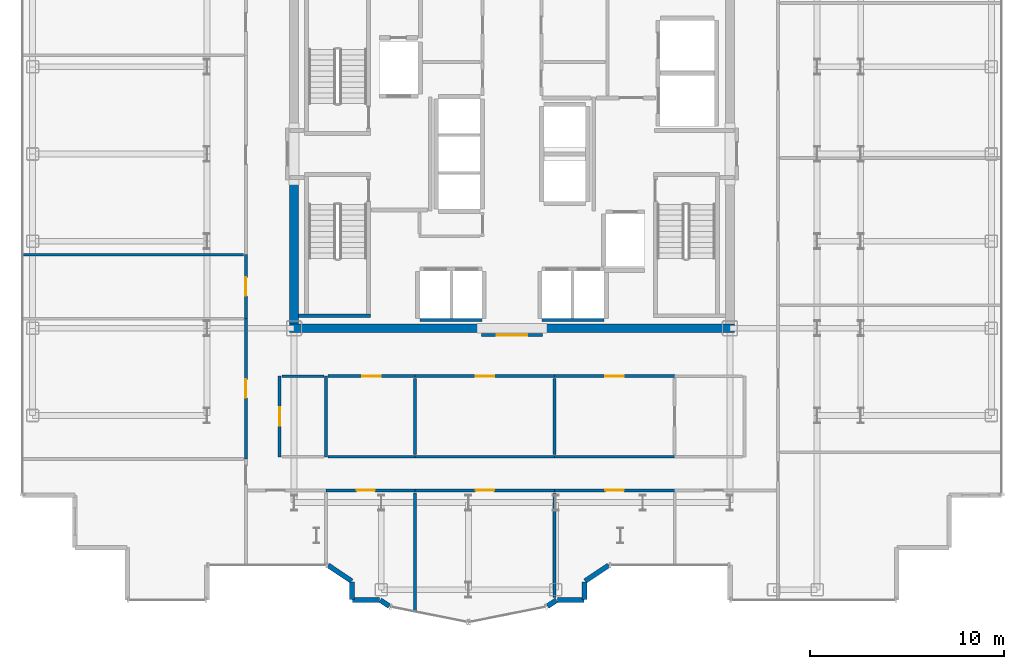
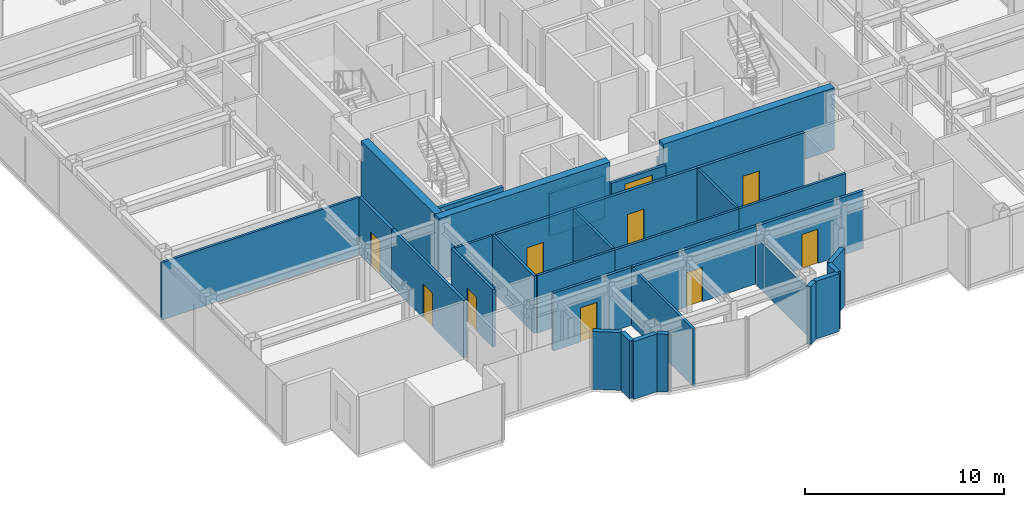
# One storey, part 14 of 20: 34 walls, 10 doors, 10 openings.
"""IFC4 building model written with IfcOpenShell, lengths in metres."""

from ifc_helpers import new_model, si_unit, direction, frame, frame_2d, origin, place, context, subcontext, project, spatial, rectangle, extrude, source, transform, mapped, material, layer, layer_set, type_object, element, fill, save


model = new_model("IFC4")

# Units and contexts
model_context = context("Model", 3, precision=1e-05, world=origin(), true_north=direction((0.0, 1.0)))
body_context = subcontext(model_context, "Body", "Model", "MODEL_VIEW")
ifc_project = project(units=[si_unit("LENGTHUNIT", "METRE"), si_unit("AREAUNIT", "SQUARE_METRE"), si_unit("VOLUMEUNIT", "CUBIC_METRE"), si_unit("PLANEANGLEUNIT", "RADIAN"), si_unit("MASSUNIT", "GRAM", prefix="KILO")], contexts=[model_context])

# Site, building, storey
site_placement = place(None, origin())
site = spatial("IfcSite", under=ifc_project, at=site_placement, CompositionType="ELEMENT")
building_placement = place(site_placement, origin())
building = spatial("IfcBuilding", under=site, at=building_placement, Name="Nefas-Gora Pilgrimage Tower", CompositionType="ELEMENT")
storey_placement = place(building_placement, frame((0.0, 0.0, 237.0)))
storey = spatial("IfcBuildingStorey", under=building, at=storey_placement, Name="L59", CompositionType="ELEMENT", Elevation=237.0)

# Walls
ifc_material_1 = material(Name="Concrete C50/60", Category="concrete")
ifc_layer_1 = layer(ifc_material_1, 0.449951171875)
ifc_layer_set_1 = layer_set([ifc_layer_1], Name="Concrete C50/60")
wall_type_1 = type_object("IfcWallType", Name="SW-CORE-450", PredefinedType="SHEAR", material=ifc_layer_set_1)
shared_shape_1 = source(origin(), body_context, "Body", "SweptSolid", [
    extrude(rectangle(XDim=9.925048828125, YDim=0.449951171875, at=frame_2d((4.96240234375, 0.0))), origin(), (0.0, 0.0, 1.0), 3.800048828125),
])
for number, where, z_axis, x_axis, name in (
    (1, (-11.47509765625, -9.0, 0.0), (0.0, 0.0, 1.0), (1.0, 0.0, 0.0), "L59 Core Shear Wall S-West"),
    (2, (1.550048828125, -9.0, 0.0), (0.0, 0.0, 1.0), (1.0, 0.0, 0.0), "L59 Core Shear Wall S-East"),
):
    element("IfcWall", number, at=place(storey_placement, frame(where, z_axis=z_axis, x_axis=x_axis)), inside=storey, type_object=wall_type_1, Name=name, PredefinedType="SHEAR", context=body_context, shape_type="MappedRepresentation", body=[
        mapped(shared_shape_1, transform((0.0, 0.0, 0.0), x_axis=(1.0, 0.0, 0.0), y_axis=(0.0, 1.0, 0.0), z_axis=(0.0, 0.0, 1.0), scale=1.0)),
    ])
shared_shape_2 = source(origin(), body_context, "Body", "SweptSolid", [
    extrude(rectangle(XDim=7.4248046875, YDim=0.449951171875, at=frame_2d((3.71240234375, 0.0))), origin(), (0.0, 0.0, 1.0), 3.800048828125),
])
wall_1_placement = place(storey_placement, frame((-11.25, -8.77490234375, 0.0), z_axis=(0.0, 0.0, 1.0), x_axis=(0.0, 1.0, 0.0)))
element("IfcWall", 3, at=wall_1_placement, inside=storey, type_object=wall_type_1, Name="L59 Core Shear Wall W-South", PredefinedType="SHEAR", context=body_context, shape_type="MappedRepresentation", body=[
    mapped(shared_shape_2, transform((0.0, 0.0, 0.0), x_axis=(1.0, 0.0, 0.0), y_axis=(0.0, 1.0, 0.0), z_axis=(0.0, 0.0, 1.0), scale=1.0)),
])
ifc_material_2 = material(Name="Precast concrete C40/50", Category="concrete")
ifc_layer_2 = layer(ifc_material_2, 0.260009765625)
ifc_layer_set_2 = layer_set([ifc_layer_2], Name="Precast concrete C40/50")
wall_type_2 = type_object("IfcWallType", Name="EW-PORTAL-260", PredefinedType="SOLIDWALL", material=ifc_layer_set_2)
shared_shape_3 = source(origin(), body_context, "Body", "SweptSolid", [
    extrude(rectangle(XDim=1.468994140625, YDim=0.260009765625, at=frame_2d((0.734375, 0.0))), origin(), (0.0, 0.0, 1.0), 3.550048828125),
])
for number, where, z_axis, x_axis, name in (
    (4, (-9.49462890625, -21.235595703125, 0.0), (0.0, 0.0, 1.0), (0.831461760506, -0.555581983884, 0.0), "L59 Lobe Shoulder Precast Spandrel Pier 29"),
    (5, (3.773193359375, -22.0517578125, 0.0), (0.0, 0.0, 1.0), (0.831461760506, 0.555581983884, 0.0), "L59 Lobe Shoulder Precast Spandrel Pier 36"),
):
    element("IfcWall", number, at=place(storey_placement, frame(where, z_axis=z_axis, x_axis=x_axis)), inside=storey, type_object=wall_type_2, Name=name, PredefinedType="SOLIDWALL", context=body_context, shape_type="MappedRepresentation", body=[
        mapped(shared_shape_3, transform((0.0, 0.0, 0.0), x_axis=(1.0, 0.0, 0.0), y_axis=(0.0, 1.0, 0.0), z_axis=(0.0, 0.0, 1.0), scale=1.0)),
    ])
shared_shape_4 = source(origin(), body_context, "Body", "SweptSolid", [
    extrude(rectangle(XDim=0.896728515625, YDim=0.260009765625, at=frame_2d((0.4482421875, 0.0))), origin(), (0.0, 0.0, 1.0), 3.550048828125),
])
for number, where, z_axis, x_axis, name in (
    (6, (-8.25, -22.09521484375, 0.0), (0.0, 0.0, 1.0), (0.0, -1.0, 0.0), "L59 Lobe Shoulder Precast Spandrel Pier 30"),
    (7, (3.75, -22.991943359375, 0.0), (0.0, 0.0, 1.0), (0.0, 1.0, 0.0), "L59 Lobe Shoulder Precast Spandrel Pier 35"),
):
    element("IfcWall", number, at=place(storey_placement, frame(where, z_axis=z_axis, x_axis=x_axis)), inside=storey, type_object=wall_type_2, Name=name, PredefinedType="SOLIDWALL", context=body_context, shape_type="MappedRepresentation", body=[
        mapped(shared_shape_4, transform((0.0, 0.0, 0.0), x_axis=(1.0, 0.0, 0.0), y_axis=(0.0, 1.0, 0.0), z_axis=(0.0, 0.0, 1.0), scale=1.0)),
    ])
shared_shape_5 = source(origin(), body_context, "Body", "SweptSolid", [
    extrude(rectangle(XDim=1.369873046875, YDim=0.260009765625, at=frame_2d((0.68505859375, 0.0))), origin(), (0.0, 0.0, 1.0), 3.550048828125),
])
for number, where, z_axis, x_axis, name in (
    (8, (-8.221923828125, -23.02001953125, 0.0), (0.0, 0.0, 1.0), (1.0, 0.0, 0.0), "L59 Lobe Shoulder Precast Spandrel Pier 31"),
    (9, (2.35205078125, -23.02001953125, 0.0), (0.0, 0.0, 1.0), (1.0, 0.0, 0.0), "L59 Lobe Shoulder Precast Spandrel Pier 34"),
):
    element("IfcWall", number, at=place(storey_placement, frame(where, z_axis=z_axis, x_axis=x_axis)), inside=storey, type_object=wall_type_2, Name=name, PredefinedType="SOLIDWALL", context=body_context, shape_type="MappedRepresentation", body=[
        mapped(shared_shape_5, transform((0.0, 0.0, 0.0), x_axis=(1.0, 0.0, 0.0), y_axis=(0.0, 1.0, 0.0), z_axis=(0.0, 0.0, 1.0), scale=1.0)),
    ])
shared_shape_6 = source(origin(), body_context, "Body", "SweptSolid", [
    extrude(rectangle(XDim=0.5654296875, YDim=0.260009765625, at=frame_2d((0.28271484375, 0.0))), origin(), (0.0, 0.0, 1.0), 3.550048828125),
])
for number, where, z_axis, x_axis, name in (
    (10, (-6.80078125, -23.03564453125, 0.0), (0.0, 0.0, 1.0), (0.831651492666, -0.555297933317, 0.0), "L59 Lobe Shoulder Precast Spandrel Pier 32"),
    (11, (1.83056640625, -23.349609375, 0.0), (0.0, 0.0, 1.0), (0.831651492666, 0.555297933317, 0.0), "L59 Lobe Shoulder Precast Spandrel Pier 33"),
):
    element("IfcWall", number, at=place(storey_placement, frame(where, z_axis=z_axis, x_axis=x_axis)), inside=storey, type_object=wall_type_2, Name=name, PredefinedType="SOLIDWALL", context=body_context, shape_type="MappedRepresentation", body=[
        mapped(shared_shape_6, transform((0.0, 0.0, 0.0), x_axis=(1.0, 0.0, 0.0), y_axis=(0.0, 1.0, 0.0), z_axis=(0.0, 0.0, 1.0), scale=1.0)),
    ])
ifc_material_3 = material(Name="Concrete C45/55", Category="concrete")
ifc_layer_3 = layer(ifc_material_3, 0.199951171875)
ifc_layer_set_3 = layer_set([ifc_layer_3], Name="Concrete C45/55")
wall_type_3 = type_object("IfcWallType", Name="IW-STAIR-200", PredefinedType="SOLIDWALL", material=ifc_layer_set_3)
shared_shape_7 = source(origin(), body_context, "Body", "SweptSolid", [
    extrude(rectangle(XDim=3.72998046875, YDim=0.199951171875, at=frame_2d((1.864990234375, 0.0))), origin(), (0.0, 0.0, 1.0), 3.800048828125),
])
wall_2_placement = place(storey_placement, frame((-11.030029296875, -8.35009765625, 0.0), z_axis=(0.0, 0.0, 1.0), x_axis=(1.0, 0.0, 0.0)))
element("IfcWall", 12, at=wall_2_placement, inside=storey, type_object=wall_type_3, Name="L59 Stairwell Shear Wall ST-03-far", PredefinedType="SOLIDWALL", context=body_context, shape_type="MappedRepresentation", body=[
    mapped(shared_shape_7, transform((0.0, 0.0, 0.0), x_axis=(1.0, 0.0, 0.0), y_axis=(0.0, 1.0, 0.0), z_axis=(0.0, 0.0, 1.0), scale=1.0)),
])
ifc_material_4 = material(Name="Gypsum acoustic stud partition")
ifc_layer_4 = layer(ifc_material_4, 0.159912109375)
ifc_layer_set_4 = layer_set([ifc_layer_4], Name="Gypsum acoustic stud partition")
wall_type_4 = type_object("IfcWallType", Name="IW-CORR-160", PredefinedType="PARTITIONING", material=ifc_layer_set_4)
shared_shape_8 = source(origin(), body_context, "Body", "SweptSolid", [
    extrude(rectangle(XDim=3.199951171875, YDim=0.159912109375, at=frame_2d((1.60009765625, 0.0))), origin(), (0.0, 0.0, 1.0), 2.625),
])
for number, where, z_axis, x_axis, name in (
    (13, (-4.75, -8.580078125, 0.0), (0.0, 0.0, 1.0), (1.0, 0.0, 0.0), "L59 Hoistway Wall PL2-W-S"),
    (14, (1.550048828125, -8.580078125, 0.0), (0.0, 0.0, 1.0), (1.0, 0.0, 0.0), "L59 Hoistway Wall PL2-E-S"),
):
    element("IfcWall", number, at=place(storey_placement, frame(where, z_axis=z_axis, x_axis=x_axis)), inside=storey, type_object=wall_type_4, Name=name, PredefinedType="PARTITIONING", context=body_context, shape_type="MappedRepresentation", body=[
        mapped(shared_shape_8, transform((0.0, 0.0, 0.0), x_axis=(1.0, 0.0, 0.0), y_axis=(0.0, 1.0, 0.0), z_axis=(0.0, 0.0, 1.0), scale=1.0)),
    ])

# Wall, opening, door
shared_shape_9 = source(origin(), body_context, "Body", "SweptSolid", [
    extrude(rectangle(XDim=3.309814453125, YDim=0.159912109375, at=frame_2d((1.65478515625, 0.0))), origin(), (0.0, 0.0, 1.0), 3.534912109375),
])
wall_3_placement = place(storey_placement, frame((-13.739990234375, -8.5048828125, 0.0), z_axis=(0.0, 0.0, 1.0), x_axis=(0.0, 1.0, 0.0)))
wall_3 = element("IfcWall", 15, at=wall_3_placement, inside=storey, type_object=wall_type_4, Name="L59 Pastoral Chaplains Counselling Office Partition Wall 36", PredefinedType="PARTITIONING", context=body_context, shape_type="MappedRepresentation", body=[
    mapped(shared_shape_9, transform((0.0, 0.0, 0.0), x_axis=(1.0, 0.0, 0.0), y_axis=(0.0, 1.0, 0.0), z_axis=(0.0, 0.0, 1.0), scale=1.0)),
])
opening_1_placement = place(wall_3_placement, frame((1.179931640625, 0.0, 0.0)))
opening_1 = element("IfcOpeningElement", 16, at=opening_1_placement, cuts=wall_3, Name="Opening ID-GR1", PredefinedType="OPENING", context=body_context, shape_type="SweptSolid", body=[
    extrude(rectangle(XDim=0.949951171875, YDim=2.10009765625, at=frame_2d((0.47509765625, 1.050048828125))), frame((0.0, 0.08984375, 0.0), z_axis=(0.0, -1.0, 0.0), x_axis=(1.0, 0.0, 0.0)), (0.0, 0.0, 1.0), 0.179931640625),
])
ifc_material_5 = material(Name="Solid core oak fire-rated guest entrance door")
door_type_1 = type_object("IfcDoorType", Name="DR-INT-GUEST-950", OperationType="NOTDEFINED", PredefinedType="DOOR", material=ifc_material_5)
shared_shape_10 = source(origin(), body_context, "Body", "SweptSolid", [
    extrude(rectangle(XDim=0.949951171875, YDim=2.10009765625, at=frame_2d((0.47509765625, 1.050048828125))), frame((0.0, 0.02490234375, 0.0), z_axis=(0.0, -1.0, 0.0), x_axis=(1.0, 0.0, 0.0)), (0.0, 0.0, 1.0), 0.050048828125),
])
door_1_placement = place(opening_1_placement, origin())
door_1 = element("IfcDoor", 17, at=door_1_placement, inside=storey, type_object=door_type_1, Name="L59 Pastoral Chaplains Counselling Office Door 15", OperationType="SINGLE_SWING_LEFT", OverallHeight=2.10009765625, OverallWidth=0.949951171875, PredefinedType="DOOR", context=body_context, shape_type="MappedRepresentation", body=[
    mapped(shared_shape_10, transform((0.0, 0.0, 0.0), x_axis=(1.0, 0.0, 0.0), y_axis=(0.0, 1.0, 0.0), z_axis=(0.0, 0.0, 1.0), scale=1.0)),
])
fill(opening_1, door_1)

shared_shape_11 = source(origin(), body_context, "Body", "SweptSolid", [
    extrude(rectangle(XDim=4.60986328125, YDim=0.159912109375, at=frame_2d((2.304931640625, 0.0))), origin(), (0.0, 0.0, 1.0), 3.534912109375),
])
wall_4_placement = place(storey_placement, frame((-9.60498046875, -17.3701171875, 0.0), z_axis=(0.0, 0.0, 1.0), x_axis=(1.0, 0.0, 0.0)))
wall_4 = element("IfcWall", 18, at=wall_4_placement, inside=storey, type_object=wall_type_4, Name="L59 Pilgrim Contemplative Lounge Partition Wall 78", PredefinedType="PARTITIONING", context=body_context, shape_type="MappedRepresentation", body=[
    mapped(shared_shape_11, transform((0.0, 0.0, 0.0), x_axis=(1.0, 0.0, 0.0), y_axis=(0.0, 1.0, 0.0), z_axis=(0.0, 0.0, 1.0), scale=1.0)),
])
opening_2_placement = place(wall_4_placement, frame((1.58203125, 0.0, 0.0)))
opening_2 = element("IfcOpeningElement", 19, at=opening_2_placement, cuts=wall_4, Name="Opening ID-GR1", PredefinedType="OPENING", context=body_context, shape_type="SweptSolid", body=[
    extrude(rectangle(XDim=0.949951171875, YDim=2.10009765625, at=frame_2d((0.47509765625, 1.050048828125))), frame((0.0, 0.08984375, 0.0), z_axis=(0.0, -1.0, 0.0), x_axis=(1.0, 0.0, 0.0)), (0.0, 0.0, 1.0), 0.179931640625),
])
door_2_placement = place(opening_2_placement, origin())
door_2 = element("IfcDoor", 20, at=door_2_placement, inside=storey, type_object=door_type_1, Name="L59 Pilgrim Contemplative Lounge Door 35", OperationType="SINGLE_SWING_LEFT", OverallHeight=2.10009765625, OverallWidth=0.949951171875, PredefinedType="DOOR", context=body_context, shape_type="MappedRepresentation", body=[
    mapped(shared_shape_10, transform((0.0, 0.0, 0.0), x_axis=(1.0, 0.0, 0.0), y_axis=(0.0, 1.0, 0.0), z_axis=(0.0, 0.0, 1.0), scale=1.0)),
])
fill(opening_2, door_2)

shared_shape_12 = source(origin(), body_context, "Body", "SweptSolid", [
    extrude(rectangle(XDim=6.2099609375, YDim=0.159912109375, at=frame_2d((3.10498046875, 0.0))), origin(), (0.0, 0.0, 1.0), 3.534912109375),
])
wall_5_placement = place(storey_placement, frame((2.195068359375, -17.3701171875, 0.0), z_axis=(0.0, 0.0, 1.0), x_axis=(1.0, 0.0, 0.0)))
wall_5 = element("IfcWall", 21, at=wall_5_placement, inside=storey, type_object=wall_type_4, Name="L59 Pilgrim Contemplative Lounge Partition Wall 88", PredefinedType="PARTITIONING", context=body_context, shape_type="MappedRepresentation", body=[
    mapped(shared_shape_12, transform((0.0, 0.0, 0.0), x_axis=(1.0, 0.0, 0.0), y_axis=(0.0, 1.0, 0.0), z_axis=(0.0, 0.0, 1.0), scale=1.0)),
])
opening_3_placement = place(wall_5_placement, frame((2.6298828125, 0.0, 0.0)))
opening_3 = element("IfcOpeningElement", 22, at=opening_3_placement, cuts=wall_5, Name="Opening ID-GR1", PredefinedType="OPENING", context=body_context, shape_type="SweptSolid", body=[
    extrude(rectangle(XDim=0.949951171875, YDim=2.10009765625, at=frame_2d((0.47509765625, 1.050048828125))), frame((0.0, 0.08984375, 0.0), z_axis=(0.0, -1.0, 0.0), x_axis=(1.0, 0.0, 0.0)), (0.0, 0.0, 1.0), 0.179931640625),
])
door_3_placement = place(opening_3_placement, origin())
door_3 = element("IfcDoor", 23, at=door_3_placement, inside=storey, type_object=door_type_1, Name="L59 Pilgrim Contemplative Lounge Door 39", OperationType="SINGLE_SWING_LEFT", OverallHeight=2.10009765625, OverallWidth=0.949951171875, PredefinedType="DOOR", context=body_context, shape_type="MappedRepresentation", body=[
    mapped(shared_shape_10, transform((0.0, 0.0, 0.0), x_axis=(1.0, 0.0, 0.0), y_axis=(0.0, 1.0, 0.0), z_axis=(0.0, 0.0, 1.0), scale=1.0)),
])
fill(opening_3, door_3)

wall_6_placement = place(storey_placement, frame((2.195068359375, -11.469970703125, 0.0), z_axis=(0.0, 0.0, 1.0), x_axis=(1.0, 0.0, 0.0)))
wall_6 = element("IfcWall", 24, at=wall_6_placement, inside=storey, type_object=wall_type_4, Name="L59 Pilgrim Contemplative Lounge Partition Wall 90", PredefinedType="PARTITIONING", context=body_context, shape_type="MappedRepresentation", body=[
    mapped(shared_shape_12, transform((0.0, 0.0, 0.0), x_axis=(1.0, 0.0, 0.0), y_axis=(0.0, 1.0, 0.0), z_axis=(0.0, 0.0, 1.0), scale=1.0)),
])
opening_4_placement = place(wall_6_placement, frame((2.6298828125, 0.0, 0.0)))
opening_4 = element("IfcOpeningElement", 25, at=opening_4_placement, cuts=wall_6, Name="Opening ID-GR1", PredefinedType="OPENING", context=body_context, shape_type="SweptSolid", body=[
    extrude(rectangle(XDim=0.949951171875, YDim=2.10009765625, at=frame_2d((0.47509765625, 1.050048828125))), frame((0.0, 0.08984375, 0.0), z_axis=(0.0, -1.0, 0.0), x_axis=(1.0, 0.0, 0.0)), (0.0, 0.0, 1.0), 0.179931640625),
])
door_4_placement = place(opening_4_placement, origin())
door_4 = element("IfcDoor", 26, at=door_4_placement, inside=storey, type_object=door_type_1, Name="L59 Pilgrim Contemplative Lounge Door 40", OperationType="SINGLE_SWING_RIGHT", OverallHeight=2.10009765625, OverallWidth=0.949951171875, PredefinedType="DOOR", context=body_context, shape_type="MappedRepresentation", body=[
    mapped(shared_shape_10, transform((0.0, 0.0, 0.0), x_axis=(1.0, 0.0, 0.0), y_axis=(0.0, 1.0, 0.0), z_axis=(0.0, 0.0, 1.0), scale=1.0)),
])
fill(opening_4, door_4)

# Wall
ifc_material_6 = material(Name="Gypsum twin-stud partition")
ifc_layer_5 = layer(ifc_material_6, 0.139892578125)
ifc_layer_set_5 = layer_set([ifc_layer_5], Name="Gypsum twin-stud partition")
wall_type_5 = type_object("IfcWallType", Name="IW-UNIT-140", PredefinedType="PARTITIONING", material=ifc_layer_set_5)
shared_shape_13 = source(origin(), body_context, "Body", "SweptSolid", [
    extrude(rectangle(XDim=11.429931640625, YDim=0.139892578125, at=frame_2d((5.71484375, 0.0))), origin(), (0.0, 0.0, 1.0), 3.534912109375),
])
wall_7_placement = place(storey_placement, frame((-25.2900390625, -5.205078125, 0.0), z_axis=(0.0, 0.0, 1.0), x_axis=(1.0, 0.0, 0.0)))
element("IfcWall", 27, at=wall_7_placement, inside=storey, type_object=wall_type_5, Name="L59 Pastoral Chaplains Counselling Office Partition Wall 37", PredefinedType="PARTITIONING", context=body_context, shape_type="MappedRepresentation", body=[
    mapped(shared_shape_13, transform((0.0, 0.0, 0.0), x_axis=(1.0, 0.0, 0.0), y_axis=(0.0, 1.0, 0.0), z_axis=(0.0, 0.0, 1.0), scale=1.0)),
])

# Wall, opening, door
shared_shape_14 = source(origin(), body_context, "Body", "SweptSolid", [
    extrude(rectangle(XDim=7.242431640625, YDim=0.159912109375, at=frame_2d((3.62109375, 0.0))), origin(), (0.0, 0.0, 1.0), 3.534912109375),
])
wall_8_placement = place(storey_placement, frame((-13.739990234375, -15.737548828125, 0.0), z_axis=(0.0, 0.0, 1.0), x_axis=(0.0, 1.0, 0.0)))
wall_8 = element("IfcWall", 28, at=wall_8_placement, inside=storey, type_object=wall_type_4, Name="L59 Pilgrim Devotional Prayer Gallery Partition Wall 34", PredefinedType="PARTITIONING", context=body_context, shape_type="MappedRepresentation", body=[
    mapped(shared_shape_14, transform((0.0, 0.0, 0.0), x_axis=(1.0, 0.0, 0.0), y_axis=(0.0, 1.0, 0.0), z_axis=(0.0, 0.0, 1.0), scale=1.0)),
])
opening_5_placement = place(wall_8_placement, frame((3.146240234375, 0.0, 0.0)))
opening_5 = element("IfcOpeningElement", 29, at=opening_5_placement, cuts=wall_8, Name="Opening ID-GR1", PredefinedType="OPENING", context=body_context, shape_type="SweptSolid", body=[
    extrude(rectangle(XDim=0.949951171875, YDim=2.10009765625, at=frame_2d((0.47509765625, 1.050048828125))), frame((0.0, 0.08984375, 0.0), z_axis=(0.0, -1.0, 0.0), x_axis=(1.0, 0.0, 0.0)), (0.0, 0.0, 1.0), 0.179931640625),
])
door_5_placement = place(opening_5_placement, origin())
door_5 = element("IfcDoor", 30, at=door_5_placement, inside=storey, type_object=door_type_1, Name="L59 Pilgrim Devotional Prayer Gallery Door 14", OperationType="SINGLE_SWING_RIGHT", OverallHeight=2.10009765625, OverallWidth=0.949951171875, PredefinedType="DOOR", context=body_context, shape_type="MappedRepresentation", body=[
    mapped(shared_shape_10, transform((0.0, 0.0, 0.0), x_axis=(1.0, 0.0, 0.0), y_axis=(0.0, 1.0, 0.0), z_axis=(0.0, 0.0, 1.0), scale=1.0)),
])
fill(opening_5, door_5)

# Walls
shared_shape_15 = source(origin(), body_context, "Body", "SweptSolid", [
    extrude(rectangle(XDim=3.929931640625, YDim=0.139892578125, at=frame_2d((1.96484375, 0.0))), origin(), (0.0, 0.0, 1.0), 3.534912109375),
])
for number, where, z_axis, x_axis, name in (
    (31, (-5.0048828125, -15.52001953125, 0.0), (0.0, 0.0, 1.0), (0.0, 1.0, 0.0), "L59 Pilgrim Contemplative Lounge Partition Wall 82"),
    (32, (2.195068359375, -15.52001953125, 0.0), (0.0, 0.0, 1.0), (0.0, 1.0, 0.0), "L59 Pilgrim Contemplative Lounge Partition Wall 87"),
):
    element("IfcWall", number, at=place(storey_placement, frame(where, z_axis=z_axis, x_axis=x_axis)), inside=storey, type_object=wall_type_5, Name=name, PredefinedType="PARTITIONING", context=body_context, shape_type="MappedRepresentation", body=[
        mapped(shared_shape_15, transform((0.0, 0.0, 0.0), x_axis=(1.0, 0.0, 0.0), y_axis=(0.0, 1.0, 0.0), z_axis=(0.0, 0.0, 1.0), scale=1.0)),
    ])
shared_shape_16 = source(origin(), body_context, "Body", "SweptSolid", [
    extrude(rectangle(XDim=6.15673828125, YDim=0.139892578125, at=frame_2d((3.078369140625, 0.0))), origin(), (0.0, 0.0, 1.0), 3.534912109375),
])
wall_9_placement = place(storey_placement, frame((-5.0048828125, -23.646728515625, 0.0), z_axis=(0.0, 0.0, 1.0), x_axis=(0.0, 1.0, 0.0)))
element("IfcWall", 33, at=wall_9_placement, inside=storey, type_object=wall_type_5, Name="L59 Pilgrim Contemplative Lounge Partition Wall 79", PredefinedType="PARTITIONING", context=body_context, shape_type="MappedRepresentation", body=[
    mapped(shared_shape_16, transform((0.0, 0.0, 0.0), x_axis=(1.0, 0.0, 0.0), y_axis=(0.0, 1.0, 0.0), z_axis=(0.0, 0.0, 1.0), scale=1.0)),
])
shared_shape_17 = source(origin(), body_context, "Body", "SweptSolid", [
    extrude(rectangle(XDim=4.179931640625, YDim=0.139892578125, at=frame_2d((2.08984375, 0.0))), origin(), (0.0, 0.0, 1.0), 3.534912109375),
])
wall_10_placement = place(storey_placement, frame((-9.60498046875, -15.639892578125, 0.0), z_axis=(0.0, 0.0, 1.0), x_axis=(0.0, 1.0, 0.0)))
element("IfcWall", 34, at=wall_10_placement, inside=storey, type_object=wall_type_5, Name="L59 Pilgrim Contemplative Lounge Partition Wall 75", PredefinedType="PARTITIONING", context=body_context, shape_type="MappedRepresentation", body=[
    mapped(shared_shape_17, transform((0.0, 0.0, 0.0), x_axis=(1.0, 0.0, 0.0), y_axis=(0.0, 1.0, 0.0), z_axis=(0.0, 0.0, 1.0), scale=1.0)),
])

# Wall, opening, door
shared_shape_18 = source(origin(), body_context, "Body", "SweptSolid", [
    extrude(rectangle(XDim=4.179931640625, YDim=0.159912109375, at=frame_2d((2.08984375, 0.0))), origin(), (0.0, 0.0, 1.0), 3.534912109375),
])
wall_11_placement = place(storey_placement, frame((-12.0, -15.639892578125, 0.0), z_axis=(0.0, 0.0, 1.0), x_axis=(0.0, 1.0, 0.0)))
wall_11 = element("IfcWall", 35, at=wall_11_placement, inside=storey, type_object=wall_type_4, Name="L59 Pilgrim Contemplative Lounge Partition Wall 74", PredefinedType="PARTITIONING", context=body_context, shape_type="MappedRepresentation", body=[
    mapped(shared_shape_18, transform((0.0, 0.0, 0.0), x_axis=(1.0, 0.0, 0.0), y_axis=(0.0, 1.0, 0.0), z_axis=(0.0, 0.0, 1.0), scale=1.0)),
])
opening_6_placement = place(wall_11_placement, frame((1.614990234375, 0.0, 0.0)))
opening_6 = element("IfcOpeningElement", 36, at=opening_6_placement, cuts=wall_11, Name="Opening ID-GR1", PredefinedType="OPENING", context=body_context, shape_type="SweptSolid", body=[
    extrude(rectangle(XDim=0.949951171875, YDim=2.10009765625, at=frame_2d((0.47509765625, 1.050048828125))), frame((0.0, 0.08984375, 0.0), z_axis=(0.0, -1.0, 0.0), x_axis=(1.0, 0.0, 0.0)), (0.0, 0.0, 1.0), 0.179931640625),
])
door_6_placement = place(opening_6_placement, origin())
door_6 = element("IfcDoor", 37, at=door_6_placement, inside=storey, type_object=door_type_1, Name="L59 Pilgrim Contemplative Lounge Door 34", OperationType="SINGLE_SWING_RIGHT", OverallHeight=2.10009765625, OverallWidth=0.949951171875, PredefinedType="DOOR", context=body_context, shape_type="MappedRepresentation", body=[
    mapped(shared_shape_10, transform((0.0, 0.0, 0.0), x_axis=(1.0, 0.0, 0.0), y_axis=(0.0, 1.0, 0.0), z_axis=(0.0, 0.0, 1.0), scale=1.0)),
])
fill(opening_6, door_6)

shared_shape_19 = source(origin(), body_context, "Body", "SweptSolid", [
    extrude(rectangle(XDim=4.5, YDim=0.159912109375, at=frame_2d((2.25, 0.0))), origin(), (0.0, 0.0, 1.0), 3.534912109375),
])
wall_12_placement = place(storey_placement, frame((-9.4951171875, -11.469970703125, 0.0), z_axis=(0.0, 0.0, 1.0), x_axis=(1.0, 0.0, 0.0)))
wall_12 = element("IfcWall", 38, at=wall_12_placement, inside=storey, type_object=wall_type_4, Name="L59 Pilgrim Contemplative Lounge Partition Wall 80", PredefinedType="PARTITIONING", context=body_context, shape_type="MappedRepresentation", body=[
    mapped(shared_shape_19, transform((0.0, 0.0, 0.0), x_axis=(1.0, 0.0, 0.0), y_axis=(0.0, 1.0, 0.0), z_axis=(0.0, 0.0, 1.0), scale=1.0)),
])
opening_7_placement = place(wall_12_placement, frame((1.77490234375, 0.0, 0.0)))
opening_7 = element("IfcOpeningElement", 39, at=opening_7_placement, cuts=wall_12, Name="Opening ID-GR1", PredefinedType="OPENING", context=body_context, shape_type="SweptSolid", body=[
    extrude(rectangle(XDim=0.949951171875, YDim=2.10009765625, at=frame_2d((0.47509765625, 1.050048828125))), frame((0.0, 0.08984375, 0.0), z_axis=(0.0, -1.0, 0.0), x_axis=(1.0, 0.0, 0.0)), (0.0, 0.0, 1.0), 0.179931640625),
])
door_7_placement = place(opening_7_placement, origin())
door_7 = element("IfcDoor", 40, at=door_7_placement, inside=storey, type_object=door_type_1, Name="L59 Pilgrim Contemplative Lounge Door 36", OperationType="SINGLE_SWING_RIGHT", OverallHeight=2.10009765625, OverallWidth=0.949951171875, PredefinedType="DOOR", context=body_context, shape_type="MappedRepresentation", body=[
    mapped(shared_shape_10, transform((0.0, 0.0, 0.0), x_axis=(1.0, 0.0, 0.0), y_axis=(0.0, 1.0, 0.0), z_axis=(0.0, 0.0, 1.0), scale=1.0)),
])
fill(opening_7, door_7)

# Wall
shared_shape_20 = source(origin(), body_context, "Body", "SweptSolid", [
    extrude(rectangle(XDim=4.5, YDim=0.139892578125, at=frame_2d((2.25, 0.0))), origin(), (0.0, 0.0, 1.0), 3.534912109375),
])
wall_13_placement = place(storey_placement, frame((-9.4951171875, -15.6298828125, 0.0), z_axis=(0.0, 0.0, 1.0), x_axis=(1.0, 0.0, 0.0)))
element("IfcWall", 41, at=wall_13_placement, inside=storey, type_object=wall_type_5, Name="L59 Pilgrim Contemplative Lounge Partition Wall 81", PredefinedType="PARTITIONING", context=body_context, shape_type="MappedRepresentation", body=[
    mapped(shared_shape_20, transform((0.0, 0.0, 0.0), x_axis=(1.0, 0.0, 0.0), y_axis=(0.0, 1.0, 0.0), z_axis=(0.0, 0.0, 1.0), scale=1.0)),
])

# Wall, opening, door
shared_shape_21 = source(origin(), body_context, "Body", "SweptSolid", [
    extrude(rectangle(XDim=7.2099609375, YDim=0.159912109375, at=frame_2d((3.60498046875, 0.0))), origin(), (0.0, 0.0, 1.0), 3.534912109375),
])
wall_14_placement = place(storey_placement, frame((-5.0048828125, -17.3701171875, 0.0), z_axis=(0.0, 0.0, 1.0), x_axis=(1.0, 0.0, 0.0)))
wall_14 = element("IfcWall", 42, at=wall_14_placement, inside=storey, type_object=wall_type_4, Name="L59 Pilgrim Contemplative Lounge Partition Wall 83", PredefinedType="PARTITIONING", context=body_context, shape_type="MappedRepresentation", body=[
    mapped(shared_shape_21, transform((0.0, 0.0, 0.0), x_axis=(1.0, 0.0, 0.0), y_axis=(0.0, 1.0, 0.0), z_axis=(0.0, 0.0, 1.0), scale=1.0)),
])
opening_8_placement = place(wall_14_placement, frame((3.1298828125, 0.0, 0.0)))
opening_8 = element("IfcOpeningElement", 43, at=opening_8_placement, cuts=wall_14, Name="Opening ID-GR1", PredefinedType="OPENING", context=body_context, shape_type="SweptSolid", body=[
    extrude(rectangle(XDim=0.949951171875, YDim=2.10009765625, at=frame_2d((0.47509765625, 1.050048828125))), frame((0.0, 0.08984375, 0.0), z_axis=(0.0, -1.0, 0.0), x_axis=(1.0, 0.0, 0.0)), (0.0, 0.0, 1.0), 0.179931640625),
])
door_8_placement = place(opening_8_placement, origin())
door_8 = element("IfcDoor", 44, at=door_8_placement, inside=storey, type_object=door_type_1, Name="L59 Pilgrim Contemplative Lounge Door 37", OperationType="SINGLE_SWING_LEFT", OverallHeight=2.10009765625, OverallWidth=0.949951171875, PredefinedType="DOOR", context=body_context, shape_type="MappedRepresentation", body=[
    mapped(shared_shape_10, transform((0.0, 0.0, 0.0), x_axis=(1.0, 0.0, 0.0), y_axis=(0.0, 1.0, 0.0), z_axis=(0.0, 0.0, 1.0), scale=1.0)),
])
fill(opening_8, door_8)

wall_15_placement = place(storey_placement, frame((-5.0048828125, -11.469970703125, 0.0), z_axis=(0.0, 0.0, 1.0), x_axis=(1.0, 0.0, 0.0)))
wall_15 = element("IfcWall", 45, at=wall_15_placement, inside=storey, type_object=wall_type_4, Name="L59 Pilgrim Contemplative Lounge Partition Wall 85", PredefinedType="PARTITIONING", context=body_context, shape_type="MappedRepresentation", body=[
    mapped(shared_shape_21, transform((0.0, 0.0, 0.0), x_axis=(1.0, 0.0, 0.0), y_axis=(0.0, 1.0, 0.0), z_axis=(0.0, 0.0, 1.0), scale=1.0)),
])
opening_9_placement = place(wall_15_placement, frame((3.1298828125, 0.0, 0.0)))
opening_9 = element("IfcOpeningElement", 46, at=opening_9_placement, cuts=wall_15, Name="Opening ID-GR1", PredefinedType="OPENING", context=body_context, shape_type="SweptSolid", body=[
    extrude(rectangle(XDim=0.949951171875, YDim=2.10009765625, at=frame_2d((0.47509765625, 1.050048828125))), frame((0.0, 0.08984375, 0.0), z_axis=(0.0, -1.0, 0.0), x_axis=(1.0, 0.0, 0.0)), (0.0, 0.0, 1.0), 0.179931640625),
])
door_9_placement = place(opening_9_placement, origin())
door_9 = element("IfcDoor", 47, at=door_9_placement, inside=storey, type_object=door_type_1, Name="L59 Pilgrim Contemplative Lounge Door 38", OperationType="SINGLE_SWING_RIGHT", OverallHeight=2.10009765625, OverallWidth=0.949951171875, PredefinedType="DOOR", context=body_context, shape_type="MappedRepresentation", body=[
    mapped(shared_shape_10, transform((0.0, 0.0, 0.0), x_axis=(1.0, 0.0, 0.0), y_axis=(0.0, 1.0, 0.0), z_axis=(0.0, 0.0, 1.0), scale=1.0)),
])
fill(opening_9, door_9)

# Wall
shared_shape_22 = source(origin(), body_context, "Body", "SweptSolid", [
    extrude(rectangle(XDim=7.2099609375, YDim=0.139892578125, at=frame_2d((3.60498046875, 0.0))), origin(), (0.0, 0.0, 1.0), 3.534912109375),
])
wall_16_placement = place(storey_placement, frame((-5.0048828125, -15.6298828125, 0.0), z_axis=(0.0, 0.0, 1.0), x_axis=(1.0, 0.0, 0.0)))
element("IfcWall", 48, at=wall_16_placement, inside=storey, type_object=wall_type_5, Name="L59 Pilgrim Contemplative Lounge Partition Wall 86", PredefinedType="PARTITIONING", context=body_context, shape_type="MappedRepresentation", body=[
    mapped(shared_shape_22, transform((0.0, 0.0, 0.0), x_axis=(1.0, 0.0, 0.0), y_axis=(0.0, 1.0, 0.0), z_axis=(0.0, 0.0, 1.0), scale=1.0)),
])

# Wall, opening, door
shared_shape_23 = source(origin(), body_context, "Body", "SweptSolid", [
    extrude(rectangle(XDim=3.16015625, YDim=0.159912109375, at=frame_2d((1.580078125, 0.0))), origin(), (0.0, 0.0, 1.0), 2.625),
])
wall_17_placement = place(storey_placement, frame((-1.580078125, -9.35009765625, 0.0), z_axis=(0.0, 0.0, 1.0), x_axis=(1.0, 0.0, 0.0)))
wall_17 = element("IfcWall", 49, at=wall_17_placement, inside=storey, type_object=wall_type_4, Name="L59 Central Lift Lobby South Portal Wall 16", PredefinedType="PARTITIONING", context=body_context, shape_type="MappedRepresentation", body=[
    mapped(shared_shape_23, transform((0.0, 0.0, 0.0), x_axis=(1.0, 0.0, 0.0), y_axis=(0.0, 1.0, 0.0), z_axis=(0.0, 0.0, 1.0), scale=1.0)),
])
opening_10_placement = place(wall_17_placement, frame((0.780029296875, 0.0, 0.0)))
opening_10 = element("IfcOpeningElement", 50, at=opening_10_placement, cuts=wall_17, Name="Opening ID-HL1", PredefinedType="OPENING", context=body_context, shape_type="SweptSolid", body=[
    extrude(rectangle(XDim=1.60009765625, YDim=2.300048828125, at=frame_2d((0.800048828125, 1.14990234375))), frame((0.0, 0.08984375, 0.0), z_axis=(0.0, -1.0, 0.0), x_axis=(1.0, 0.0, 0.0)), (0.0, 0.0, 1.0), 0.179931640625),
])
ifc_material_7 = material(Name="Double acoustic timber assembly hall door", Category="wood")
door_type_2 = type_object("IfcDoorType", Name="DR-INT-HALL-1600", OperationType="DOUBLE_DOOR_SINGLE_SWING", PredefinedType="DOOR", material=ifc_material_7)
shared_shape_24 = source(origin(), body_context, "Body", "SweptSolid", [
    extrude(rectangle(XDim=1.60009765625, YDim=2.300048828125, at=frame_2d((0.800048828125, 1.14990234375))), frame((0.0, 0.02490234375, 0.0), z_axis=(0.0, -1.0, 0.0), x_axis=(1.0, 0.0, 0.0)), (0.0, 0.0, 1.0), 0.050048828125),
])
door_10_placement = place(opening_10_placement, origin())
door_10 = element("IfcDoor", 51, at=door_10_placement, inside=storey, type_object=door_type_2, Name="L59 Central Lift Lobby South Portal Door 6", OperationType="DOUBLE_DOOR_SINGLE_SWING", OverallHeight=2.300048828125, OverallWidth=1.60009765625, PredefinedType="DOOR", context=body_context, shape_type="MappedRepresentation", body=[
    mapped(shared_shape_24, transform((0.0, 0.0, 0.0), x_axis=(1.0, 0.0, 0.0), y_axis=(0.0, 1.0, 0.0), z_axis=(0.0, 0.0, 1.0), scale=1.0)),
])
fill(opening_10, door_10)

# Walls
shared_shape_25 = source(origin(), body_context, "Body", "SweptSolid", [
    extrude(rectangle(XDim=5.414306640625, YDim=0.139892578125, at=frame_2d((2.70703125, 0.0))), origin(), (0.0, 0.0, 1.0), 2.925048828125),
])
wall_18_placement = place(storey_placement, frame((2.195068359375, -22.904296875, 0.0), z_axis=(0.0, 0.0, 1.0), x_axis=(0.0, 1.0, 0.0)))
element("IfcWall", 52, at=wall_18_placement, inside=storey, type_object=wall_type_5, Name="L59 Pilgrim Contemplative Lounge Partition Wall 84", PredefinedType="PARTITIONING", context=body_context, shape_type="MappedRepresentation", body=[
    mapped(shared_shape_25, transform((0.0, 0.0, 0.0), x_axis=(1.0, 0.0, 0.0), y_axis=(0.0, 1.0, 0.0), z_axis=(0.0, 0.0, 1.0), scale=1.0)),
])
shared_shape_26 = source(origin(), body_context, "Body", "SweptSolid", [
    extrude(rectangle(XDim=2.164794921875, YDim=0.139892578125, at=frame_2d((1.08251953125, 0.0))), origin(), (0.0, 0.0, 1.0), 3.534912109375),
])
wall_19_placement = place(storey_placement, frame((-11.8798828125, -11.469970703125, 0.0), z_axis=(0.0, 0.0, 1.0), x_axis=(1.0, 0.0, 0.0)))
element("IfcWall", 53, at=wall_19_placement, inside=storey, type_object=wall_type_5, Name="L59 Pilgrim Contemplative Lounge Partition Wall 76", PredefinedType="PARTITIONING", context=body_context, shape_type="MappedRepresentation", body=[
    mapped(shared_shape_26, transform((0.0, 0.0, 0.0), x_axis=(1.0, 0.0, 0.0), y_axis=(0.0, 1.0, 0.0), z_axis=(0.0, 0.0, 1.0), scale=1.0)),
])
shared_shape_27 = source(origin(), body_context, "Body", "SweptSolid", [
    extrude(rectangle(XDim=6.2099609375, YDim=0.139892578125, at=frame_2d((3.10498046875, 0.0))), origin(), (0.0, 0.0, 1.0), 3.534912109375),
])
wall_20_placement = place(storey_placement, frame((2.195068359375, -15.6298828125, 0.0), z_axis=(0.0, 0.0, 1.0), x_axis=(1.0, 0.0, 0.0)))
element("IfcWall", 54, at=wall_20_placement, inside=storey, type_object=wall_type_5, Name="L59 Pilgrim Contemplative Lounge Partition Wall 91", PredefinedType="PARTITIONING", context=body_context, shape_type="MappedRepresentation", body=[
    mapped(shared_shape_27, transform((0.0, 0.0, 0.0), x_axis=(1.0, 0.0, 0.0), y_axis=(0.0, 1.0, 0.0), z_axis=(0.0, 0.0, 1.0), scale=1.0)),
])

save(model, "model.ifc")
